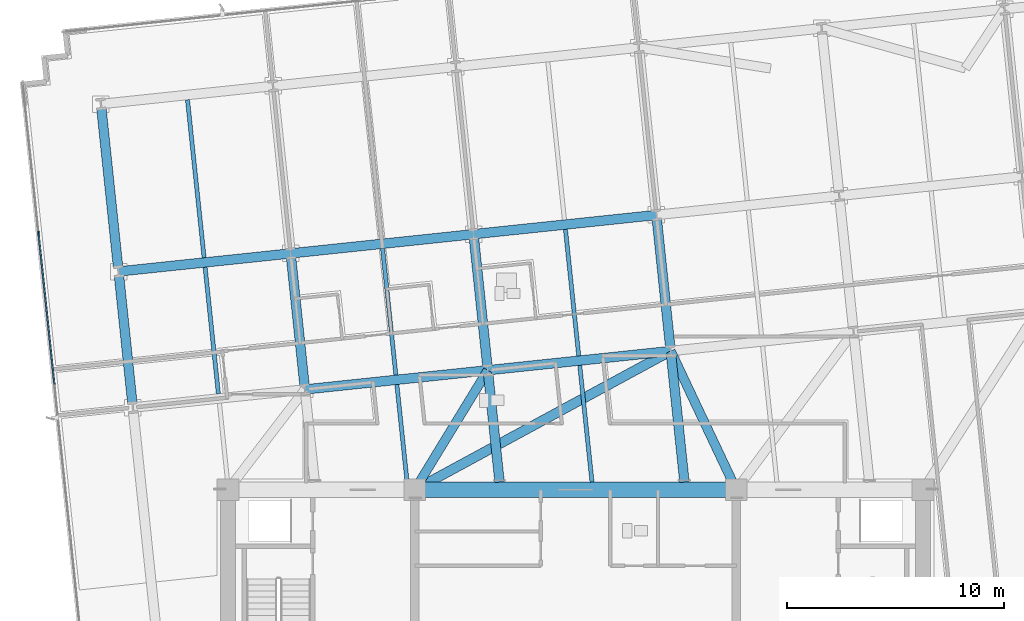
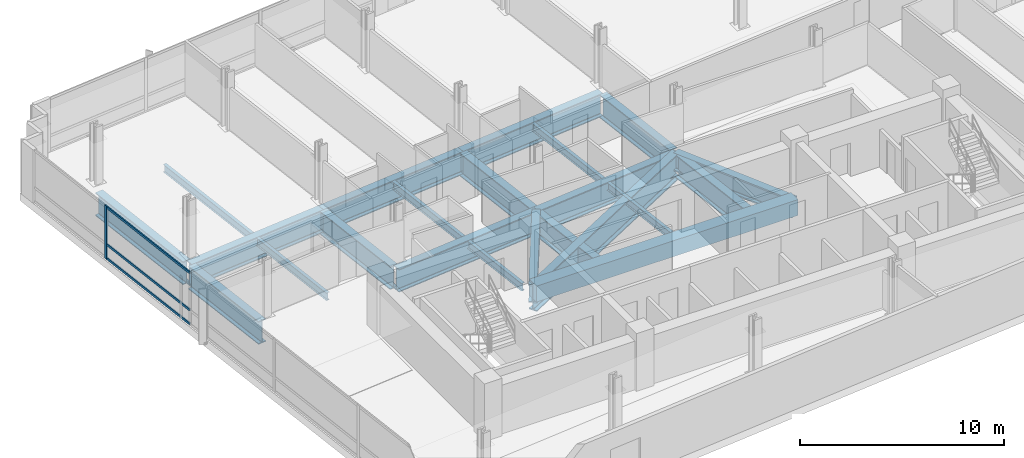
# One storey, part 3 of 18: 22 beams, 4 members, 1 element without a shape of its own.
"""IFC4 building model written with IfcOpenShell, lengths in metres."""

from ifc_helpers import new_model, si_unit, direction, frame, origin, origin_2d, place, context, subcontext, project, spatial, rectangle, i_section, extrude, material, material_profile, profile_set, type_object, element, aggregate, save


model = new_model("IFC4")

# Units and contexts
model_context = context("Model", 3, precision=1e-05, world=origin(), true_north=direction((0.0, 1.0)))
body_context = subcontext(model_context, "Body", "Model", "MODEL_VIEW")
ifc_project = project(units=[si_unit("LENGTHUNIT", "METRE"), si_unit("AREAUNIT", "SQUARE_METRE"), si_unit("VOLUMEUNIT", "CUBIC_METRE"), si_unit("PLANEANGLEUNIT", "RADIAN"), si_unit("MASSUNIT", "GRAM", prefix="KILO")], contexts=[model_context])

# Site, building, storey
site_placement = place(None, origin())
site = spatial("IfcSite", under=ifc_project, at=site_placement, CompositionType="ELEMENT")
building_placement = place(site_placement, origin())
building = spatial("IfcBuilding", under=site, at=building_placement, Name="Solmavex Isthmus Hotel", CompositionType="ELEMENT")
storey_placement = place(building_placement, frame((0.0, 0.0, 80.10009765625)))
storey = spatial("IfcBuildingStorey", under=building, at=storey_placement, Name="L21", CompositionType="ELEMENT", Elevation=80.10009765625)

# Beams
ifc_material_1 = material(Name="Steel ASTM A992 Grade 50", Category="steel")
ifc_material_profile_1 = material_profile(ifc_material_1, i_section(OverallWidth=0.1904296875, OverallDepth=0.456787109375, WebThickness=0.009033203125, FlangeThickness=0.014404296875, FilletRadius=0.0126953125, at=origin_2d()), Name="W18X50")
ifc_profile_set_1 = profile_set([ifc_material_profile_1], Name="Steel ASTM A992 Grade 50")
beam_type_1 = type_object("IfcBeamType", Name="BM-BJ-W18X50", PredefinedType="JOIST", material=ifc_profile_set_1)
beam_1_placement = place(storey_placement, frame((-16.44384765625, 1.9208984375, -0.678466796875), z_axis=(-0.104524243635, 0.99452233886, 0.0), x_axis=(-0.99452233886, -0.104524243635, 0.0)))
element("IfcBeam", 1, at=beam_1_placement, inside=storey, type_object=beam_type_1, Name="Secondary Floor Joist L21-J03", PredefinedType="JOIST", context=body_context, shape_type="SweptSolid", body=[
    extrude(i_section(OverallWidth=0.1904296875, OverallDepth=0.456787109375, WebThickness=0.009033203125, FlangeThickness=0.014404296875, FilletRadius=0.0126953125, at=origin_2d()), origin(), (0.0, 0.0, 1.0), 5.85791015625),
])
beam_2_placement = place(storey_placement, frame((-17.102294921875, 8.1845703125, -0.678466796875), z_axis=(-0.104510971509, 0.994523733671, 0.0), x_axis=(-0.994523733671, -0.104510971509, 0.0)))
element("IfcBeam", 2, at=beam_2_placement, inside=storey, type_object=beam_type_1, Name="Secondary Floor Joist L21-J04", PredefinedType="JOIST", context=body_context, shape_type="SweptSolid", body=[
    extrude(i_section(OverallWidth=0.1904296875, OverallDepth=0.456787109375, WebThickness=0.009033203125, FlangeThickness=0.014404296875, FilletRadius=0.0126953125, at=origin_2d()), origin(), (0.0, 0.0, 1.0), 7.311767578125),
])
beam_3_placement = place(storey_placement, frame((-7.75390625, -2.14990234375, -0.678466796875), z_axis=(-0.104479390829, 0.994527051865, 0.0), x_axis=(-0.994527051865, -0.104479390829, 0.0)))
element("IfcBeam", 3, at=beam_3_placement, inside=storey, type_object=beam_type_1, Name="Secondary Floor Joist L21-J06", PredefinedType="JOIST", context=body_context, shape_type="SweptSolid", body=[
    extrude(i_section(OverallWidth=0.1904296875, OverallDepth=0.456787109375, WebThickness=0.009033203125, FlangeThickness=0.014404296875, FilletRadius=0.0126953125, at=origin_2d()), origin(), (0.0, 0.0, 1.0), 4.516845703125),
])
beam_4_placement = place(storey_placement, frame((-8.27197265625, 2.77978515625, -0.678466796875), z_axis=(-0.104524243635, 0.99452233886, 0.0), x_axis=(-0.99452233886, -0.104524243635, 0.0)))
element("IfcBeam", 4, at=beam_4_placement, inside=storey, type_object=beam_type_1, Name="Secondary Floor Joist L21-J07", PredefinedType="JOIST", context=body_context, shape_type="SweptSolid", body=[
    extrude(i_section(OverallWidth=0.1904296875, OverallDepth=0.456787109375, WebThickness=0.009033203125, FlangeThickness=0.014404296875, FilletRadius=0.0126953125, at=origin_2d()), origin(), (0.0, 0.0, 1.0), 5.85791015625),
])
beam_5_placement = place(storey_placement, frame((0.7587890625, -2.14990234375, -0.678466796875), z_axis=(-0.104532001222, 0.994521523508, 0.0), x_axis=(-0.994521523508, -0.104532001222, 0.0)))
element("IfcBeam", 5, at=beam_5_placement, inside=storey, type_object=beam_type_1, Name="Secondary Floor Joist L21-J10", PredefinedType="JOIST", context=body_context, shape_type="SweptSolid", body=[
    extrude(i_section(OverallWidth=0.1904296875, OverallDepth=0.456787109375, WebThickness=0.009033203125, FlangeThickness=0.014404296875, FilletRadius=0.0126953125, at=origin_2d()), origin(), (0.0, 0.0, 1.0), 5.40673828125),
])
beam_6_placement = place(storey_placement, frame((0.147705078125, 3.664794921875, -0.678466796875), z_axis=(-0.104524243635, 0.99452233886, 0.0), x_axis=(-0.99452233886, -0.104524243635, 0.0)))
element("IfcBeam", 6, at=beam_6_placement, inside=storey, type_object=beam_type_1, Name="Secondary Floor Joist L21-J11", PredefinedType="JOIST", context=body_context, shape_type="SweptSolid", body=[
    extrude(i_section(OverallWidth=0.1904296875, OverallDepth=0.456787109375, WebThickness=0.009033203125, FlangeThickness=0.014404296875, FilletRadius=0.0126953125, at=origin_2d()), origin(), (0.0, 0.0, 1.0), 5.85791015625),
])
ifc_material_2 = material(Name="Concrete C60/75", Category="concrete")
ifc_material_profile_2 = material_profile(ifc_material_2, rectangle(XDim=0.699951171875, YDim=0.949951171875, at=origin_2d()), Name="RC700X950")
ifc_profile_set_2 = profile_set([ifc_material_profile_2], Name="Concrete C60/75")
beam_type_2 = type_object("IfcBeamType", Name="BM-CB-700X950", PredefinedType="BEAM", material=ifc_profile_set_2)
beam_7_placement = place(storey_placement, frame((-7.39990234375, -2.5, -0.815185546875), z_axis=(1.0, 0.0, 0.0), x_axis=(0.0, 1.0, 0.0)))
element("IfcBeam", 7, at=beam_7_placement, inside=storey, type_object=beam_type_2, Name="Core Coupling Beam L21-CB5", PredefinedType="BEAM", context=body_context, shape_type="SweptSolid", body=[
    extrude(rectangle(XDim=0.699951171875, YDim=0.949951171875, at=origin_2d()), origin(), (0.0, 0.0, 1.0), 14.7998046875),
])
ifc_material_3 = material(Name="Steel ASTM A572 Grade 50", Category="steel")
ifc_material_profile_3 = material_profile(ifc_material_3, i_section(OverallWidth=0.449951171875, OverallDepth=1.550048828125, WebThickness=0.031982421875, FlangeThickness=0.06494140625, FilletRadius=0.030517578125, at=origin_2d()), Name="I1550X450")
ifc_profile_set_3 = profile_set([ifc_material_profile_3], Name="Steel ASTM A572 Grade 50")
beam_type_3 = type_object("IfcBeamType", Name="BM-TB-G1550", PredefinedType="BEAM", material=ifc_profile_set_3)
beam_8_placement = place(storey_placement, frame((-7.39990234375, -2.5, -1.22509765625), z_axis=(0.879059159145, 0.476712696206, 0.0), x_axis=(-0.476712696206, 0.879059159145, 0.0)))
element("IfcBeam", 8, at=beam_8_placement, inside=storey, type_object=beam_type_3, Name="Core Outrigger Strut L20-OTCW", PredefinedType="BEAM", context=body_context, shape_type="SweptSolid", body=[
    extrude(i_section(OverallWidth=0.449951171875, OverallDepth=1.550048828125, WebThickness=0.031982421875, FlangeThickness=0.06494140625, FilletRadius=0.030517578125, at=origin_2d()), origin(), (0.0, 0.0, 1.0), 13.401123046875),
])
ifc_material_4 = material(Name="Steel ASTM A913 Grade 65", Category="steel")
ifc_material_profile_4 = material_profile(ifc_material_4, i_section(OverallWidth=0.42431640625, OverallDepth=1.09228515625, WebThickness=0.04541015625, FlangeThickness=0.08203125, FilletRadius=0.030517578125, at=origin_2d()), Name="W40X593")
ifc_profile_set_4 = profile_set([ifc_material_profile_4], Name="Steel ASTM A913 Grade 65")
beam_type_4 = type_object("IfcBeamType", Name="BM-TB-W40X397", PredefinedType="BEAM", material=ifc_profile_set_4)
beam_9_placement = place(storey_placement, frame((7.39990234375, -2.5, -0.99609375), z_axis=(-0.427327243486, 0.904097022987, 0.0), x_axis=(-0.904097022987, -0.427327243486, 0.0)))
element("IfcBeam", 9, at=beam_9_placement, inside=storey, type_object=beam_type_4, Name="Core Outrigger Strut L20-OTCE", PredefinedType="BEAM", context=body_context, shape_type="SweptSolid", body=[
    extrude(i_section(OverallWidth=0.42431640625, OverallDepth=1.09228515625, WebThickness=0.04541015625, FlangeThickness=0.08203125, FilletRadius=0.030517578125, at=origin_2d()), origin(), (0.0, 0.0, 1.0), 7.066162109375),
])
ifc_material_profile_5 = material_profile(ifc_material_3, i_section(OverallWidth=0.43994140625, OverallDepth=1.3798828125, WebThickness=0.030029296875, FlangeThickness=0.054931640625, FilletRadius=0.030517578125, at=origin_2d()), Name="I1380X440")
ifc_profile_set_5 = profile_set([ifc_material_profile_5], Name="Steel ASTM A572 Grade 50")
beam_type_5 = type_object("IfcBeamType", Name="BM-TG-I1380", PredefinedType="BEAM", material=ifc_profile_set_5)
beam_10_placement = place(storey_placement, frame((-12.458740234375, 2.11865234375, -1.14013671875), z_axis=(0.994521085209, 0.104536171134, 0.0), x_axis=(-0.104536171134, 0.994521085209, 0.0)))
element("IfcBeam", 10, at=beam_10_placement, inside=storey, type_object=beam_type_5, Name="Outrigger Collector Girder L21-UG06", PredefinedType="BEAM", context=body_context, shape_type="SweptSolid", body=[
    extrude(i_section(OverallWidth=0.43994140625, OverallDepth=1.3798828125, WebThickness=0.030029296875, FlangeThickness=0.054931640625, FilletRadius=0.030517578125, at=origin_2d()), origin(), (0.0, 0.0, 1.0), 8.466064453125),
])
beam_11_placement = place(storey_placement, frame((-4.0390625, 3.003662109375, -1.14013671875), z_axis=(0.994523767887, 0.104510645909, 0.0), x_axis=(-0.104510645909, 0.994523767887, 0.0)))
element("IfcBeam", 11, at=beam_11_placement, inside=storey, type_object=beam_type_5, Name="Outrigger Collector Girder L21-UG07", PredefinedType="BEAM", context=body_context, shape_type="SweptSolid", body=[
    extrude(i_section(OverallWidth=0.43994140625, OverallDepth=1.3798828125, WebThickness=0.030029296875, FlangeThickness=0.054931640625, FilletRadius=0.030517578125, at=origin_2d()), origin(), (0.0, 0.0, 1.0), 8.4658203125),
])
beam_12_placement = place(storey_placement, frame((-21.04150390625, 7.54931640625, -1.14013671875), z_axis=(0.994523402738, 0.104514120609, 0.0), x_axis=(-0.104514120609, 0.994523402738, 0.0)))
element("IfcBeam", 12, at=beam_12_placement, inside=storey, type_object=beam_type_5, Name="Outrigger Collector Girder L21-UG11", PredefinedType="BEAM", context=body_context, shape_type="SweptSolid", body=[
    extrude(i_section(OverallWidth=0.43994140625, OverallDepth=1.3798828125, WebThickness=0.030029296875, FlangeThickness=0.054931640625, FilletRadius=0.030517578125, at=origin_2d()), origin(), (0.0, 0.0, 1.0), 7.968017578125),
])
for number, where, z_axis, x_axis, name in (
    (13, (-13.1171875, 8.382080078125, -1.14013671875), (0.994521085209, 0.104536171134, 0.0), (-0.104536171134, 0.994521085209, 0.0), "Outrigger Collector Girder L21-UG12"),
    (14, (-4.697509765625, 9.26708984375, -1.14013671875), (0.994521085209, 0.104536171134, 0.0), (-0.104536171134, 0.994521085209, 0.0), "Outrigger Collector Girder L21-UG13"),
):
    element("IfcBeam", number, at=place(storey_placement, frame(where, z_axis=z_axis, x_axis=x_axis)), inside=storey, type_object=beam_type_5, Name=name, PredefinedType="BEAM", context=body_context, shape_type="SweptSolid", body=[
        extrude(i_section(OverallWidth=0.43994140625, OverallDepth=1.3798828125, WebThickness=0.030029296875, FlangeThickness=0.054931640625, FilletRadius=0.030517578125, at=origin_2d()), origin(), (0.0, 0.0, 1.0), 8.466064453125),
    ])
beam_13_placement = place(storey_placement, frame((-20.406005859375, 1.504638671875, -1.14013671875), z_axis=(-0.104528576139, 0.994521883505, 0.0), x_axis=(-0.994521883505, -0.104528576139, 0.0)))
element("IfcBeam", 15, at=beam_13_placement, inside=storey, type_object=beam_type_5, Name="Outrigger Collector Beam L21-VG24", PredefinedType="BEAM", context=body_context, shape_type="SweptSolid", body=[
    extrude(i_section(OverallWidth=0.43994140625, OverallDepth=1.3798828125, WebThickness=0.030029296875, FlangeThickness=0.054931640625, FilletRadius=0.030517578125, at=origin_2d()), origin(), (0.0, 0.0, 1.0), 5.857666015625),
])
beam_14_placement = place(storey_placement, frame((-21.064453125, 7.76806640625, -1.14013671875), z_axis=(-0.104507501103, 0.994524098357, 0.0), x_axis=(-0.994524098357, -0.104507501103, 0.0)))
element("IfcBeam", 16, at=beam_14_placement, inside=storey, type_object=beam_type_5, Name="Outrigger Collector Beam L21-VG25", PredefinedType="BEAM", context=body_context, shape_type="SweptSolid", body=[
    extrude(i_section(OverallWidth=0.43994140625, OverallDepth=1.3798828125, WebThickness=0.030029296875, FlangeThickness=0.054931640625, FilletRadius=0.030517578125, at=origin_2d()), origin(), (0.0, 0.0, 1.0), 7.31201171875),
])
beam_15_placement = place(storey_placement, frame((-12.481689453125, 2.33740234375, -1.14013671875), z_axis=(-0.104524243635, 0.99452233886, 0.0), x_axis=(-0.99452233886, -0.104524243635, 0.0)))
element("IfcBeam", 17, at=beam_15_placement, inside=storey, type_object=beam_type_5, Name="Outrigger Collector Beam L21-VG28", PredefinedType="BEAM", context=body_context, shape_type="SweptSolid", body=[
    extrude(i_section(OverallWidth=0.43994140625, OverallDepth=1.3798828125, WebThickness=0.030029296875, FlangeThickness=0.054931640625, FilletRadius=0.030517578125, at=origin_2d()), origin(), (0.0, 0.0, 1.0), 5.85791015625),
])
beam_16_placement = place(storey_placement, frame((-3.49755859375, -2.14990234375, -1.14013671875), z_axis=(-0.10451061204, 0.994523771446, 0.0), x_axis=(-0.994523771446, -0.10451061204, 0.0)))
element("IfcBeam", 18, at=beam_16_placement, inside=storey, type_object=beam_type_5, Name="Outrigger Collector Beam L21-VG31", PredefinedType="BEAM", context=body_context, shape_type="SweptSolid", body=[
    extrude(i_section(OverallWidth=0.43994140625, OverallDepth=1.3798828125, WebThickness=0.030029296875, FlangeThickness=0.054931640625, FilletRadius=0.030517578125, at=origin_2d()), origin(), (0.0, 0.0, 1.0), 4.961669921875),
])
beam_17_placement = place(storey_placement, frame((-4.06201171875, 3.222412109375, -1.14013671875), z_axis=(-0.104565464372, 0.9945180057, 0.0), x_axis=(-0.9945180057, -0.104565464372, 0.0)))
element("IfcBeam", 19, at=beam_17_placement, inside=storey, type_object=beam_type_5, Name="Outrigger Collector Beam L21-VG32", PredefinedType="BEAM", context=body_context, shape_type="SweptSolid", body=[
    extrude(i_section(OverallWidth=0.43994140625, OverallDepth=1.3798828125, WebThickness=0.030029296875, FlangeThickness=0.054931640625, FilletRadius=0.030517578125, at=origin_2d()), origin(), (0.0, 0.0, 1.0), 5.858154296875),
])
beam_18_placement = place(storey_placement, frame((5.01513671875, -2.14990234375, -1.14013671875), z_axis=(-0.104513209038, 0.994523498534, 0.0), x_axis=(-0.994523498534, -0.104513209038, 0.0)))
element("IfcBeam", 20, at=beam_18_placement, inside=storey, type_object=beam_type_5, Name="Outrigger Collector Beam L21-VG35", PredefinedType="BEAM", context=body_context, shape_type="SweptSolid", body=[
    extrude(i_section(OverallWidth=0.43994140625, OverallDepth=1.3798828125, WebThickness=0.030029296875, FlangeThickness=0.054931640625, FilletRadius=0.030517578125, at=origin_2d()), origin(), (0.0, 0.0, 1.0), 5.8515625),
])
beam_19_placement = place(storey_placement, frame((4.357421875, 4.107177734375, -1.14013671875), z_axis=(-0.104524243635, 0.99452233886, 0.0), x_axis=(-0.99452233886, -0.104524243635, 0.0)))
element("IfcBeam", 21, at=beam_19_placement, inside=storey, type_object=beam_type_5, Name="Outrigger Collector Beam L21-VG36", PredefinedType="BEAM", context=body_context, shape_type="SweptSolid", body=[
    extrude(i_section(OverallWidth=0.43994140625, OverallDepth=1.3798828125, WebThickness=0.030029296875, FlangeThickness=0.054931640625, FilletRadius=0.030517578125, at=origin_2d()), origin(), (0.0, 0.0, 1.0), 5.85791015625),
])
ifc_material_profile_6 = material_profile(ifc_material_4, i_section(OverallWidth=0.42431640625, OverallDepth=1.09228515625, WebThickness=0.04541015625, FlangeThickness=0.08203125, FilletRadius=0.030517578125, at=origin_2d()), Name="W40X593")
ifc_profile_set_6 = profile_set([ifc_material_profile_6], Name="Steel ASTM A913 Grade 65")
beam_type_6 = type_object("IfcBeamType", Name="BM-TG-W40X593", PredefinedType="BEAM", material=ifc_profile_set_6)
beam_20_placement = place(storey_placement, frame((-7.39990234375, -2.5, -0.99609375), z_axis=(0.521166676458, 0.853454916999, 0.0), x_axis=(-0.853454916999, 0.521166676458, 0.0)))
element("IfcBeam", 22, at=beam_20_placement, inside=storey, type_object=beam_type_6, Name="Core Outrigger Strut L20-OTW", PredefinedType="BEAM", context=body_context, shape_type="SweptSolid", body=[
    extrude(i_section(OverallWidth=0.42431640625, OverallDepth=1.09228515625, WebThickness=0.04541015625, FlangeThickness=0.08203125, FilletRadius=0.030517578125, at=origin_2d()), origin(), (0.0, 0.0, 1.0), 6.44873046875),
])

# Curtain wall, members
ifc_material_5 = material(Name="Aluminium alloy 6063-T6", Category="aluminium")
curtain_wall_type = type_object("IfcCurtainWallType", Name="CW-SYS-03", PredefinedType="NOTDEFINED", material=ifc_material_5)
curtain_wall_placement = place(storey_placement, origin())
curtain_wall = element("IfcCurtainWall", 23, at=curtain_wall_placement, inside=storey, type_object=curtain_wall_type, Name="Stick Curtain Wall CWL-L21-W1", PredefinedType="NOTDEFINED")
ifc_material_profile_7 = material_profile(ifc_material_5, rectangle(XDim=0.070068359375, YDim=0.179931640625, at=origin_2d()), Name="CWM-70X180")
ifc_profile_set_7 = profile_set([ifc_material_profile_7], Name="Aluminium alloy 6063-T6")
member_type_1 = type_object("IfcMemberType", Name="CW-SYS-03-MUL", PredefinedType="MULLION", material=ifc_profile_set_7)
member_1_placement = place(storey_placement, frame((-24.725341796875, 9.305908203125, 0.0), z_axis=(0.0, 0.0, 1.0), x_axis=(-0.994521893044, -0.104528485381, 0.0)))
member_1 = element("IfcMember", 24, at=member_1_placement, type_object=member_type_1, Name="CW-03 mullion 5", PredefinedType="MULLION", context=body_context, shape_type="SweptSolid", body=[
    extrude(rectangle(XDim=0.070068359375, YDim=0.179931640625, at=origin_2d()), origin(), (0.0, 0.0, 1.0), 3.18994140625),
])
ifc_material_profile_8 = material_profile(ifc_material_5, rectangle(XDim=0.070068359375, YDim=0.139892578125, at=origin_2d()), Name="CWT-70X140")
ifc_profile_set_8 = profile_set([ifc_material_profile_8], Name="Aluminium alloy 6063-T6")
member_type_2 = type_object("IfcMemberType", Name="CW-SYS-03-TRN", PredefinedType="USERDEFINED", material=ifc_profile_set_8)
member_2_placement = place(storey_placement, frame((-23.9951171875, 2.359130859375, 0.06982421875), z_axis=(-0.104542152467, 0.99452045648, 0.0), x_axis=(-0.99452045648, -0.104542152467, 0.0)))
member_2 = element("IfcMember", 25, at=member_2_placement, type_object=member_type_2, Name="CW-03 transom 4.1", ObjectType="TRANSOM", PredefinedType="USERDEFINED", context=body_context, shape_type="SweptSolid", body=[
    extrude(rectangle(XDim=0.070068359375, YDim=0.139892578125, at=origin_2d()), origin(), (0.0, 0.0, 1.0), 6.949951171875),
])
member_3_placement = place(storey_placement, frame((-23.9951171875, 2.359130859375, 0.89990234375), z_axis=(-0.104542152467, 0.99452045648, 0.0), x_axis=(-0.99452045648, -0.104542152467, 0.0)))
member_3 = element("IfcMember", 26, at=member_3_placement, type_object=member_type_2, Name="CW-03 transom 4.2", ObjectType="TRANSOM", PredefinedType="USERDEFINED", context=body_context, shape_type="SweptSolid", body=[
    extrude(rectangle(XDim=0.070068359375, YDim=0.139892578125, at=origin_2d()), origin(), (0.0, 0.0, 1.0), 6.949951171875),
])
member_4_placement = place(storey_placement, frame((-23.9951171875, 2.359130859375, 3.119873046875), z_axis=(-0.104542152467, 0.99452045648, 0.0), x_axis=(-0.99452045648, -0.104542152467, 0.0)))
member_4 = element("IfcMember", 27, at=member_4_placement, type_object=member_type_2, Name="CW-03 transom 4.3", ObjectType="TRANSOM", PredefinedType="USERDEFINED", context=body_context, shape_type="SweptSolid", body=[
    extrude(rectangle(XDim=0.070068359375, YDim=0.139892578125, at=origin_2d()), origin(), (0.0, 0.0, 1.0), 6.949951171875),
])
aggregate(curtain_wall, [member_1, member_2, member_3, member_4])

save(model, "model.ifc")
